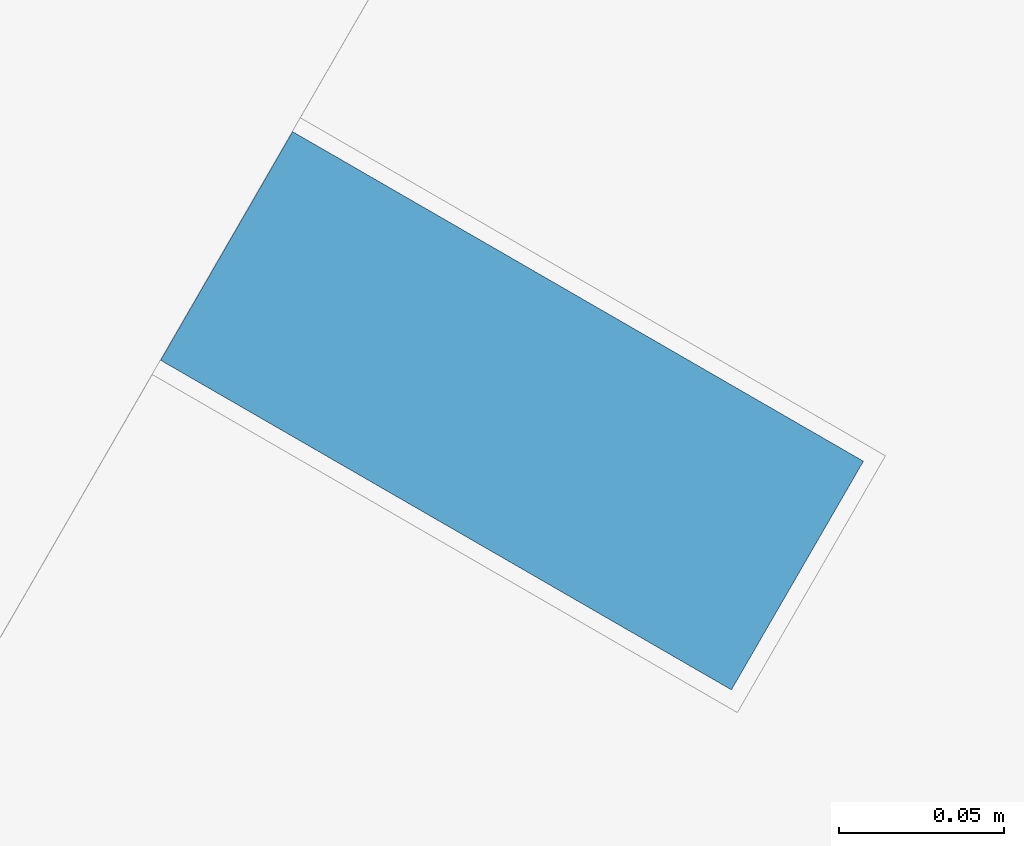
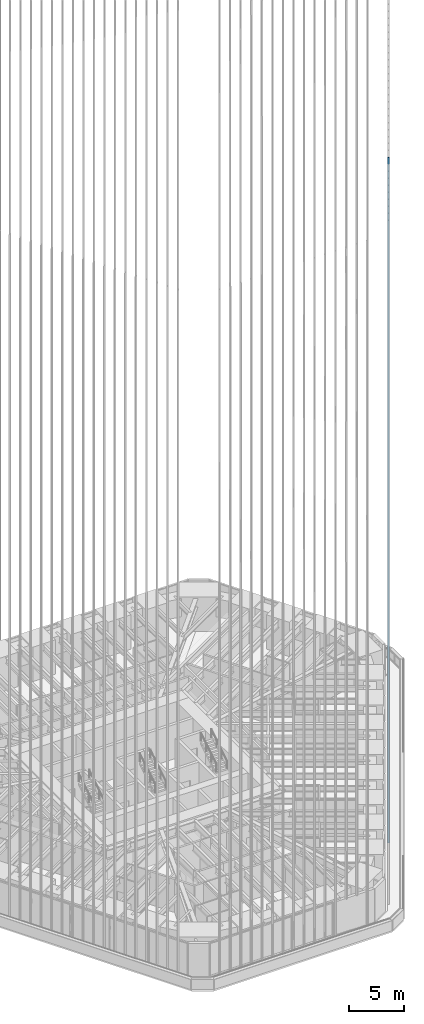
# One storey, part 83 of 238: 1 member, 1 element without a shape of its own.
"""IFC4 building model written with IfcOpenShell, lengths in metres."""

from ifc_helpers import new_model, si_unit, direction, frame, origin, origin_2d, place, context, subcontext, project, spatial, rectangle, extrude, material, material_profile, profile_set, type_object, element, aggregate, save


model = new_model("IFC4")

# Units and contexts
model_context = context("Model", 3, precision=1e-05, world=origin(), true_north=direction((0.0, 1.0)))
body_context = subcontext(model_context, "Body", "Model", "MODEL_VIEW")
ifc_project = project(units=[si_unit("LENGTHUNIT", "METRE"), si_unit("AREAUNIT", "SQUARE_METRE"), si_unit("VOLUMEUNIT", "CUBIC_METRE"), si_unit("PLANEANGLEUNIT", "RADIAN"), si_unit("MASSUNIT", "GRAM", prefix="KILO")], contexts=[model_context])

# Site, building, storey
site_placement = place(None, origin())
site = spatial("IfcSite", under=ifc_project, at=site_placement, CompositionType="ELEMENT")
building_placement = place(site_placement, origin())
building = spatial("IfcBuilding", under=site, at=building_placement, Name="Sandreach Pilgrim Tower", CompositionType="ELEMENT")
storey_placement = place(building_placement, frame((0.0, 0.0, 96.800048828125)))
storey = spatial("IfcBuildingStorey", under=building, at=storey_placement, Name="L23", CompositionType="ELEMENT", Elevation=96.800048828125)

# Curtain wall, member
ifc_material_1 = material(Name="Aluminium framed curtain wall", Category="aluminium")
curtain_wall_type = type_object("IfcCurtainWallType", Name="Hotel tower curtain wall", PredefinedType="NOTDEFINED", material=ifc_material_1)
curtain_wall_placement = place(storey_placement, origin())
curtain_wall = element("IfcCurtainWall", 1, at=curtain_wall_placement, inside=storey, type_object=curtain_wall_type, Name="CW-2 L23 SE", PredefinedType="NOTDEFINED")
ifc_material_2 = material(Name="Extruded terracotta on aluminium core", Category="masonry")
ifc_material_profile = material_profile(ifc_material_2, rectangle(XDim=0.080078125, YDim=0.199951171875, at=origin_2d()), Name="TBE 80X200")
ifc_profile_set = profile_set([ifc_material_profile], Name="Extruded terracotta on aluminium core")
member_type = type_object("IfcMemberType", Name="Terracotta baguette east", PredefinedType="USERDEFINED", material=ifc_profile_set)
member_placement = place(storey_placement, frame((15.97412109375, -18.11962890625, 0.0), z_axis=(0.0, 0.0, 1.0), x_axis=(-0.5, -0.866025403784, 0.0)))
member = element("IfcMember", 2, at=member_placement, type_object=member_type, Name="Baguette Z2 SE24", ObjectType="BAGUETTE", PredefinedType="USERDEFINED", context=body_context, shape_type="SweptSolid", body=[
    extrude(rectangle(XDim=0.080078125, YDim=0.199951171875, at=origin_2d()), origin(), (0.0, 0.0, 1.0), 75.83984375),
])
aggregate(curtain_wall, [member])

save(model, "model.ifc")
